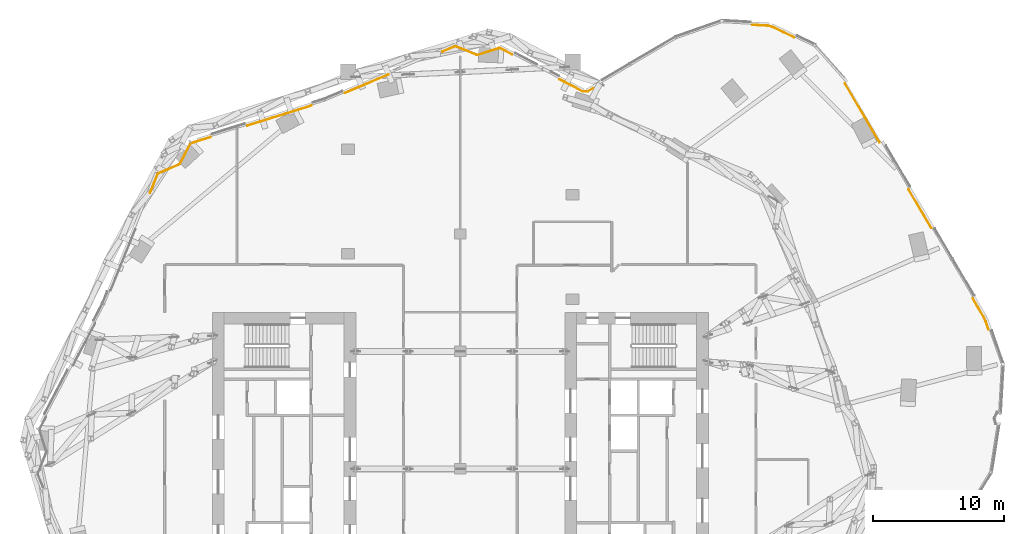
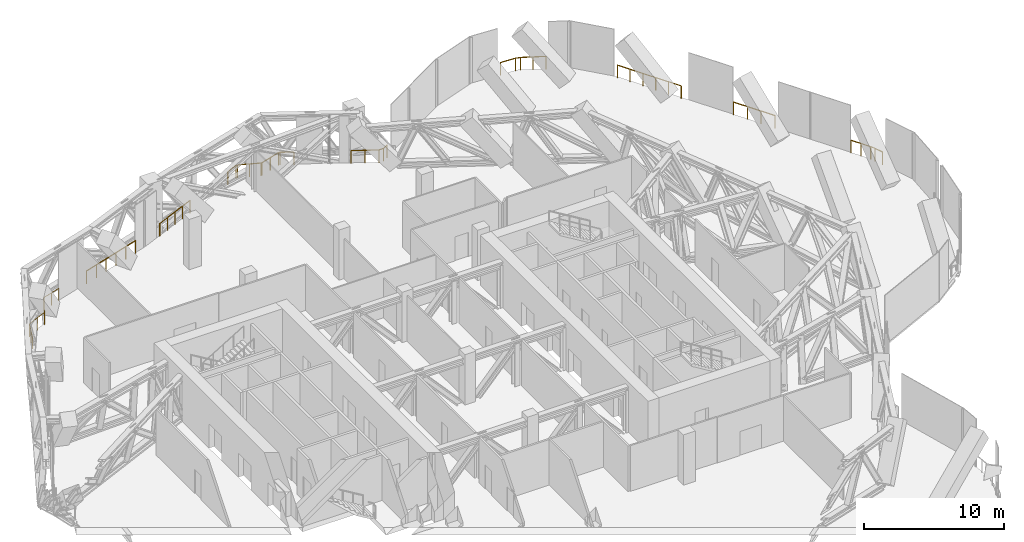
# One storey, part 31 of 31: 9 railings.
"""IFC4 building model written with IfcOpenShell, lengths in metres."""

from ifc_helpers import new_model, si_unit, direction, frame, origin, origin_2d, place, context, subcontext, project, spatial, circle, extrude, material, type_object, element, save


model = new_model("IFC4")

# Units and contexts
model_context = context("Model", 3, precision=1e-05, world=origin(), true_north=direction((0.0, 1.0)))
body_context = subcontext(model_context, "Body", "Model", "MODEL_VIEW")
ifc_project = project(units=[si_unit("LENGTHUNIT", "METRE"), si_unit("AREAUNIT", "SQUARE_METRE"), si_unit("VOLUMEUNIT", "CUBIC_METRE"), si_unit("PLANEANGLEUNIT", "RADIAN"), si_unit("MASSUNIT", "GRAM", prefix="KILO")], contexts=[model_context])

# Site, building, storey
site_placement = place(None, origin())
site = spatial("IfcSite", under=ifc_project, at=site_placement, CompositionType="ELEMENT")
building_placement = place(site_placement, origin())
building = spatial("IfcBuilding", under=site, at=building_placement, Name="Orlundy Tower", CompositionType="ELEMENT")
storey_placement = place(building_placement, frame((0.0, 0.0, 271.0)))
storey = spatial("IfcBuildingStorey", under=building, at=storey_placement, Name="L72", CompositionType="ELEMENT", Elevation=271.0)

# Railings
ifc_material = material(Name="Stainless steel bronze finish", Category="steel")
railing_type = type_object("IfcRailingType", Name="TG1 terrace guard", PredefinedType="GUARDRAIL", material=ifc_material)
railing_1_placement = place(storey_placement, frame((-23.768310546875, 21.14990234375, 0.0)))
element("IfcRailing", 1, at=railing_1_placement, inside=storey, type_object=railing_type, Name="Guard TG-L72-E02", PredefinedType="GUARDRAIL", context=body_context, shape_type="SweptSolid", body=[
    extrude(circle(Radius=0.02490234375, at=origin_2d()), frame((0.0, 0.0, 1.09521484375), z_axis=(0.374627654937, 0.927175344881, 0.0), x_axis=(-0.927175344881, 0.374627654937, 0.0)), (0.0, 0.0, 1.0), 1.5205078125),
    extrude(circle(Radius=0.02490234375, at=origin_2d()), frame((0.569580078125, 1.40966796875, 1.09521484375), z_axis=(0.686042771912, 0.727561210558, 0.0), x_axis=(-0.727561210558, 0.686042771912, 0.0)), (0.0, 0.0, 1.0), 0.12353515625),
    extrude(circle(Radius=0.02490234375, at=origin_2d()), frame((0.654296875, 1.49951171875, 1.09521484375), z_axis=(0.920575542494, 0.390564553643, 0.0), x_axis=(-0.390564553643, 0.920575542494, 0.0)), (0.0, 0.0, 1.0), 1.705322265625),
    extrude(circle(Radius=0.02490234375, at=origin_2d()), frame((2.22412109375, 2.16552734375, 1.09521484375), z_axis=(0.735149881434, 0.677904603781, 0.0), x_axis=(-0.677904603781, 0.735149881434, 0.0)), (0.0, 0.0, 1.0), 0.0810546875),
    extrude(circle(Radius=0.02490234375, at=origin_2d()), frame((2.28369140625, 2.220458984375, 1.09521484375), z_axis=(0.464269338203, 0.885694067726, 0.0), x_axis=(-0.885694067726, 0.464269338203, 0.0)), (0.0, 0.0, 1.0), 1.703857421875),
    extrude(circle(Radius=0.02490234375, at=origin_2d()), frame((3.07470703125, 3.7294921875, 1.09521484375), z_axis=(0.781833401173, 0.623487395872, 0.0), x_axis=(-0.623487395872, 0.781833401173, 0.0)), (0.0, 0.0, 1.0), 0.123291015625),
    extrude(circle(Radius=0.02490234375, at=origin_2d()), frame((3.171142578125, 3.806396484375, 1.09521484375), z_axis=(0.954578628826, 0.297959127045, 0.0), x_axis=(-0.297959127045, 0.954578628826, 0.0)), (0.0, 0.0, 1.0), 1.54052734375),
    extrude(circle(Radius=0.02001953125, at=origin_2d()), origin(), (0.0, 0.0, 1.0), 1.070068359375),
    extrude(circle(Radius=0.02001953125, at=origin_2d()), frame((0.28466796875, 0.704833984375, 0.0)), (0.0, 0.0, 1.0), 1.070068359375),
    extrude(circle(Radius=0.02001953125, at=origin_2d()), frame((0.569580078125, 1.40966796875, 0.0)), (0.0, 0.0, 1.0), 1.070068359375),
    extrude(circle(Radius=0.02001953125, at=origin_2d()), frame((0.654296875, 1.49951171875, 0.0)), (0.0, 0.0, 1.0), 1.070068359375),
    extrude(circle(Radius=0.02001953125, at=origin_2d()), frame((1.439208984375, 1.83251953125, 0.0)), (0.0, 0.0, 1.0), 1.070068359375),
    extrude(circle(Radius=0.02001953125, at=origin_2d()), frame((2.22412109375, 2.16552734375, 0.0)), (0.0, 0.0, 1.0), 1.070068359375),
    extrude(circle(Radius=0.02001953125, at=origin_2d()), frame((2.28369140625, 2.220458984375, 0.0)), (0.0, 0.0, 1.0), 1.070068359375),
    extrude(circle(Radius=0.02001953125, at=origin_2d()), frame((2.67919921875, 2.97509765625, 0.0)), (0.0, 0.0, 1.0), 1.070068359375),
    extrude(circle(Radius=0.02001953125, at=origin_2d()), frame((3.07470703125, 3.7294921875, 0.0)), (0.0, 0.0, 1.0), 1.070068359375),
    extrude(circle(Radius=0.02001953125, at=origin_2d()), frame((3.171142578125, 3.806396484375, 0.0)), (0.0, 0.0, 1.0), 1.070068359375),
    extrude(circle(Radius=0.02001953125, at=origin_2d()), frame((3.90625, 4.035888671875, 0.0)), (0.0, 0.0, 1.0), 1.070068359375),
    extrude(circle(Radius=0.02001953125, at=origin_2d()), frame((4.6416015625, 4.265380859375, 0.0)), (0.0, 0.0, 1.0), 1.070068359375),
])
railing_2_placement = place(storey_placement, frame((-1.37451171875, 31.964111328125, 0.0)))
element("IfcRailing", 2, at=railing_2_placement, inside=storey, type_object=railing_type, Name="Guard TG-L72-E04", PredefinedType="GUARDRAIL", context=body_context, shape_type="SweptSolid", body=[
    extrude(circle(Radius=0.02490234375, at=origin_2d()), frame((0.0, 0.0, 1.09521484375), z_axis=(0.920499536545, 0.390743654101, 0.0), x_axis=(-0.390743654101, 0.920499536545, 0.0)), (0.0, 0.0, 1.0), 1.0029296875),
    extrude(circle(Radius=0.02490234375, at=origin_2d()), frame((0.923095703125, 0.391845703125, 1.09521484375), z_axis=(0.99956089805, 0.029631251918, 0.0), x_axis=(-0.029631251918, 0.99956089805, 0.0)), (0.0, 0.0, 1.0), 0.12353515625),
    extrude(circle(Radius=0.02490234375, at=origin_2d()), frame((1.046630859375, 0.3955078125, 1.09521484375), z_axis=(0.927137586361, -0.374721090889, 0.0), x_axis=(0.374721090889, 0.927137586361, 0.0)), (0.0, 0.0, 1.0), 1.705078125),
    extrude(circle(Radius=0.02490234375, at=origin_2d()), frame((2.62744140625, -0.243408203125, 1.09521484375), z_axis=(0.999229631271, -0.039244668298, 0.0), x_axis=(0.039244668298, 0.999229631271, 0.0)), (0.0, 0.0, 1.0), 0.080810546875),
    extrude(circle(Radius=0.02490234375, at=origin_2d()), frame((2.708251953125, -0.24658203125, 1.09521484375), z_axis=(0.954490177964, 0.298242351403, 0.0), x_axis=(-0.298242351403, 0.954490177964, 0.0)), (0.0, 0.0, 1.0), 1.70361328125),
    extrude(circle(Radius=0.02490234375, at=origin_2d()), frame((4.334228515625, 0.261474609375, 1.09521484375), z_axis=(0.993640463865, -0.112599416382, 0.0), x_axis=(0.112599416382, 0.993640463865, 0.0)), (0.0, 0.0, 1.0), 0.12353515625),
    extrude(circle(Radius=0.02490234375, at=origin_2d()), frame((4.45703125, 0.24755859375, 1.09521484375), z_axis=(0.885669958994, -0.464315327913, 0.0), x_axis=(0.464315327913, 0.885669958994, 0.0)), (0.0, 0.0, 1.0), 1.005859375),
    extrude(circle(Radius=0.02001953125, at=origin_2d()), origin(), (0.0, 0.0, 1.0), 1.070068359375),
    extrude(circle(Radius=0.02001953125, at=origin_2d()), frame((0.923095703125, 0.391845703125, 0.0)), (0.0, 0.0, 1.0), 1.070068359375),
    extrude(circle(Radius=0.02001953125, at=origin_2d()), frame((1.046630859375, 0.3955078125, 0.0)), (0.0, 0.0, 1.0), 1.070068359375),
    extrude(circle(Radius=0.02001953125, at=origin_2d()), frame((1.8369140625, 0.076171875, 0.0)), (0.0, 0.0, 1.0), 1.070068359375),
    extrude(circle(Radius=0.02001953125, at=origin_2d()), frame((2.62744140625, -0.243408203125, 0.0)), (0.0, 0.0, 1.0), 1.070068359375),
    extrude(circle(Radius=0.02001953125, at=origin_2d()), frame((2.708251953125, -0.24658203125, 0.0)), (0.0, 0.0, 1.0), 1.070068359375),
    extrude(circle(Radius=0.02001953125, at=origin_2d()), frame((3.521240234375, 0.00732421875, 0.0)), (0.0, 0.0, 1.0), 1.070068359375),
    extrude(circle(Radius=0.02001953125, at=origin_2d()), frame((4.334228515625, 0.261474609375, 0.0)), (0.0, 0.0, 1.0), 1.070068359375),
    extrude(circle(Radius=0.02001953125, at=origin_2d()), frame((4.45703125, 0.24755859375, 0.0)), (0.0, 0.0, 1.0), 1.070068359375),
    extrude(circle(Radius=0.02001953125, at=origin_2d()), frame((5.347900390625, -0.219482421875, 0.0)), (0.0, 0.0, 1.0), 1.070068359375),
])
railing_3_placement = place(storey_placement, frame((29.463623046875, 29.541015625, 0.0)))
element("IfcRailing", 3, at=railing_3_placement, inside=storey, type_object=railing_type, Name="Guard TG-L72-E06", PredefinedType="GUARDRAIL", context=body_context, shape_type="SweptSolid", body=[
    extrude(circle(Radius=0.02490234375, at=origin_2d()), frame((0.0, 0.0, 1.09521484375), z_axis=(0.507544368041, -0.861625623151, 0.0), x_axis=(0.861625623151, 0.507544368041, 0.0)), (0.0, 0.0, 1.0), 5.25),
    extrude(circle(Radius=0.02001953125, at=origin_2d()), origin(), (0.0, 0.0, 1.0), 1.070068359375),
    extrude(circle(Radius=0.02001953125, at=origin_2d()), frame((0.532958984375, -0.90478515625, 0.0)), (0.0, 0.0, 1.0), 1.070068359375),
    extrude(circle(Radius=0.02001953125, at=origin_2d()), frame((1.06591796875, -1.809326171875, 0.0)), (0.0, 0.0, 1.0), 1.070068359375),
    extrude(circle(Radius=0.02001953125, at=origin_2d()), frame((1.5986328125, -2.714111328125, 0.0)), (0.0, 0.0, 1.0), 1.070068359375),
    extrude(circle(Radius=0.02001953125, at=origin_2d()), frame((2.131591796875, -3.61865234375, 0.0)), (0.0, 0.0, 1.0), 1.070068359375),
    extrude(circle(Radius=0.02001953125, at=origin_2d()), frame((2.66455078125, -4.5234375, 0.0)), (0.0, 0.0, 1.0), 1.070068359375),
])
railing_4_placement = place(storey_placement, frame((-16.314697265625, 26.293212890625, 0.0)))
element("IfcRailing", 4, at=railing_4_placement, inside=storey, type_object=railing_type, Name="Guard TG-L72-E08", PredefinedType="GUARDRAIL", context=body_context, shape_type="SweptSolid", body=[
    extrude(circle(Radius=0.02490234375, at=origin_2d()), frame((0.0, 0.0, 1.09521484375), z_axis=(0.954574218328, 0.297973256693, 0.0), x_axis=(-0.297973256693, 0.954574218328, 0.0)), (0.0, 0.0, 1.0), 5.16015625),
    extrude(circle(Radius=0.02001953125, at=origin_2d()), origin(), (0.0, 0.0, 1.0), 1.070068359375),
    extrude(circle(Radius=0.02001953125, at=origin_2d()), frame((0.985107421875, 0.3076171875, 0.0)), (0.0, 0.0, 1.0), 1.070068359375),
    extrude(circle(Radius=0.02001953125, at=origin_2d()), frame((1.97021484375, 0.614990234375, 0.0)), (0.0, 0.0, 1.0), 1.070068359375),
    extrude(circle(Radius=0.02001953125, at=origin_2d()), frame((2.95556640625, 0.922607421875, 0.0)), (0.0, 0.0, 1.0), 1.070068359375),
    extrude(circle(Radius=0.02001953125, at=origin_2d()), frame((3.940673828125, 1.22998046875, 0.0)), (0.0, 0.0, 1.0), 1.070068359375),
    extrude(circle(Radius=0.02001953125, at=origin_2d()), frame((4.92578125, 1.53759765625, 0.0)), (0.0, 0.0, 1.0), 1.070068359375),
])
railing_5_placement = place(storey_placement, frame((-8.82421875, 28.802490234375, 0.0)))
element("IfcRailing", 5, at=railing_5_placement, inside=storey, type_object=railing_type, Name="Guard TG-L72-E014", PredefinedType="GUARDRAIL", context=body_context, shape_type="SweptSolid", body=[
    extrude(circle(Radius=0.02490234375, at=origin_2d()), frame((0.0, 0.0, 1.09521484375), z_axis=(0.920530368854, 0.390671012512, 0.0), x_axis=(-0.390671012512, 0.920530368854, 0.0)), (0.0, 0.0, 1.0), 3.6220703125),
    extrude(circle(Radius=0.02001953125, at=origin_2d()), origin(), (0.0, 0.0, 1.0), 1.070068359375),
    extrude(circle(Radius=0.02001953125, at=origin_2d()), frame((0.83349609375, 0.353759765625, 0.0)), (0.0, 0.0, 1.0), 1.070068359375),
    extrude(circle(Radius=0.02001953125, at=origin_2d()), frame((1.6669921875, 0.70751953125, 0.0)), (0.0, 0.0, 1.0), 1.070068359375),
    extrude(circle(Radius=0.02001953125, at=origin_2d()), frame((2.500732421875, 1.061279296875, 0.0)), (0.0, 0.0, 1.0), 1.070068359375),
    extrude(circle(Radius=0.02001953125, at=origin_2d()), frame((3.334228515625, 1.4150390625, 0.0)), (0.0, 0.0, 1.0), 1.070068359375),
])
railing_6_placement = place(storey_placement, frame((34.356201171875, 21.392333984375, 0.0)))
element("IfcRailing", 6, at=railing_6_placement, inside=storey, type_object=railing_type, Name="Guard TG-L72-E016", PredefinedType="GUARDRAIL", context=body_context, shape_type="SweptSolid", body=[
    extrude(circle(Radius=0.02490234375, at=origin_2d()), frame((0.0, 0.0, 1.09521484375), z_axis=(0.507558437092, -0.86161733556, 0.0), x_axis=(0.86161733556, 0.507558437092, 0.0)), (0.0, 0.0, 1.0), 3.408447265625),
    extrude(circle(Radius=0.02001953125, at=origin_2d()), origin(), (0.0, 0.0, 1.0), 1.070068359375),
    extrude(circle(Radius=0.02001953125, at=origin_2d()), frame((0.57666015625, -0.97900390625, 0.0)), (0.0, 0.0, 1.0), 1.070068359375),
    extrude(circle(Radius=0.02001953125, at=origin_2d()), frame((1.1533203125, -1.957763671875, 0.0)), (0.0, 0.0, 1.0), 1.070068359375),
    extrude(circle(Radius=0.02001953125, at=origin_2d()), frame((1.72998046875, -2.936767578125, 0.0)), (0.0, 0.0, 1.0), 1.070068359375),
])
railing_7_placement = place(storey_placement, frame((22.383544921875, 34.01611328125, 0.0)))
element("IfcRailing", 7, at=railing_7_placement, inside=storey, type_object=railing_type, Name="Guard TG-L72-E017", PredefinedType="GUARDRAIL", context=body_context, shape_type="SweptSolid", body=[
    extrude(circle(Radius=0.02490234375, at=origin_2d()), frame((0.0, 0.0, 1.09521484375), z_axis=(0.998393882511, -0.056653820396, 0.0), x_axis=(0.056653820396, 0.998393882511, 0.0)), (0.0, 0.0, 1.0), 1.176513671875),
    extrude(circle(Radius=0.02490234375, at=origin_2d()), frame((1.174560546875, -0.066650390625, 1.09521484375), z_axis=(0.968049346621, -0.25075977051, 0.0), x_axis=(0.25075977051, 0.968049346621, 0.0)), (0.0, 0.0, 1.0), 0.376708984375),
    extrude(circle(Radius=0.02490234375, at=origin_2d()), frame((1.539306640625, -0.1611328125, 1.09521484375), z_axis=(0.900766824604, -0.434303036708, 0.0), x_axis=(0.434303036708, 0.900766824604, 0.0)), (0.0, 0.0, 1.0), 1.837158203125),
    extrude(circle(Radius=0.02001953125, at=origin_2d()), origin(), (0.0, 0.0, 1.0), 1.070068359375),
    extrude(circle(Radius=0.02001953125, at=origin_2d()), frame((1.174560546875, -0.066650390625, 0.0)), (0.0, 0.0, 1.0), 1.070068359375),
    extrude(circle(Radius=0.02001953125, at=origin_2d()), frame((1.539306640625, -0.1611328125, 0.0)), (0.0, 0.0, 1.0), 1.070068359375),
    extrude(circle(Radius=0.02001953125, at=origin_2d()), frame((2.36669921875, -0.56005859375, 0.0)), (0.0, 0.0, 1.0), 1.070068359375),
    extrude(circle(Radius=0.02001953125, at=origin_2d()), frame((3.194091796875, -0.958984375, 0.0)), (0.0, 0.0, 1.0), 1.070068359375),
])
railing_8_placement = place(storey_placement, frame((7.606201171875, 29.84033203125, 0.0)))
element("IfcRailing", 8, at=railing_8_placement, inside=storey, type_object=railing_type, Name="Guard TG-L72-E021", PredefinedType="GUARDRAIL", context=body_context, shape_type="SweptSolid", body=[
    extrude(circle(Radius=0.02490234375, at=origin_2d()), frame((0.0, 0.0, 1.09521484375), z_axis=(0.885707454171, -0.464243799771, 0.0), x_axis=(0.464243799771, 0.885707454171, 0.0)), (0.0, 0.0, 1.0), 2.003173828125),
    extrude(circle(Radius=0.02490234375, at=origin_2d()), frame((1.774169921875, -0.929931640625, 1.09521484375), z_axis=(0.999699316873, 0.02452092664, 0.0), x_axis=(-0.02452092664, 0.999699316873, 0.0)), (0.0, 0.0, 1.0), 0.38818359375),
    extrude(circle(Radius=0.02490234375, at=origin_2d()), frame((2.162353515625, -0.92041015625, 1.09521484375), z_axis=(0.861587104977, 0.507609752209, 0.0), x_axis=(-0.507609752209, 0.861587104977, 0.0)), (0.0, 0.0, 1.0), 0.470458984375),
    extrude(circle(Radius=0.02001953125, at=origin_2d()), origin(), (0.0, 0.0, 1.0), 1.070068359375),
    extrude(circle(Radius=0.02001953125, at=origin_2d()), frame((0.88720703125, -0.46484375, 0.0)), (0.0, 0.0, 1.0), 1.070068359375),
    extrude(circle(Radius=0.02001953125, at=origin_2d()), frame((1.774169921875, -0.929931640625, 0.0)), (0.0, 0.0, 1.0), 1.070068359375),
    extrude(circle(Radius=0.02001953125, at=origin_2d()), frame((2.162353515625, -0.92041015625, 0.0)), (0.0, 0.0, 1.0), 1.070068359375),
    extrude(circle(Radius=0.02001953125, at=origin_2d()), frame((2.567626953125, -0.681640625, 0.0)), (0.0, 0.0, 1.0), 1.070068359375),
])
railing_9_placement = place(storey_placement, frame((39.272705078125, 13.0458984375, 0.0)))
element("IfcRailing", 9, at=railing_9_placement, inside=storey, type_object=railing_type, Name="Guard TG-L72-E023", PredefinedType="GUARDRAIL", context=body_context, shape_type="SweptSolid", body=[
    extrude(circle(Radius=0.02490234375, at=origin_2d()), frame((0.0, 0.0, 1.09521484375), z_axis=(0.50753739863, -0.861629728475, 0.0), x_axis=(0.861629728475, 0.50753739863, 0.0)), (0.0, 0.0, 1.0), 1.608642578125),
    extrude(circle(Radius=0.02490234375, at=origin_2d()), frame((0.81640625, -1.385986328125, 1.09521484375), z_axis=(0.420486139616, -0.907298961969, 0.0), x_axis=(0.907298961969, 0.420486139616, 0.0)), (0.0, 0.0, 1.0), 0.39013671875),
    extrude(circle(Radius=0.02490234375, at=origin_2d()), frame((0.98046875, -1.739990234375, 1.09521484375), z_axis=(0.329785374324, -0.944055934191, 0.0), x_axis=(0.944055934191, 0.329785374324, 0.0)), (0.0, 0.0, 1.0), 0.673583984375),
    extrude(circle(Radius=0.02001953125, at=origin_2d()), origin(), (0.0, 0.0, 1.0), 1.070068359375),
    extrude(circle(Radius=0.02001953125, at=origin_2d()), frame((0.408203125, -0.69287109375, 0.0)), (0.0, 0.0, 1.0), 1.070068359375),
    extrude(circle(Radius=0.02001953125, at=origin_2d()), frame((0.81640625, -1.385986328125, 0.0)), (0.0, 0.0, 1.0), 1.070068359375),
    extrude(circle(Radius=0.02001953125, at=origin_2d()), frame((0.98046875, -1.739990234375, 0.0)), (0.0, 0.0, 1.0), 1.070068359375),
    extrude(circle(Radius=0.02001953125, at=origin_2d()), frame((1.20263671875, -2.3759765625, 0.0)), (0.0, 0.0, 1.0), 1.070068359375),
])

save(model, "model.ifc")
